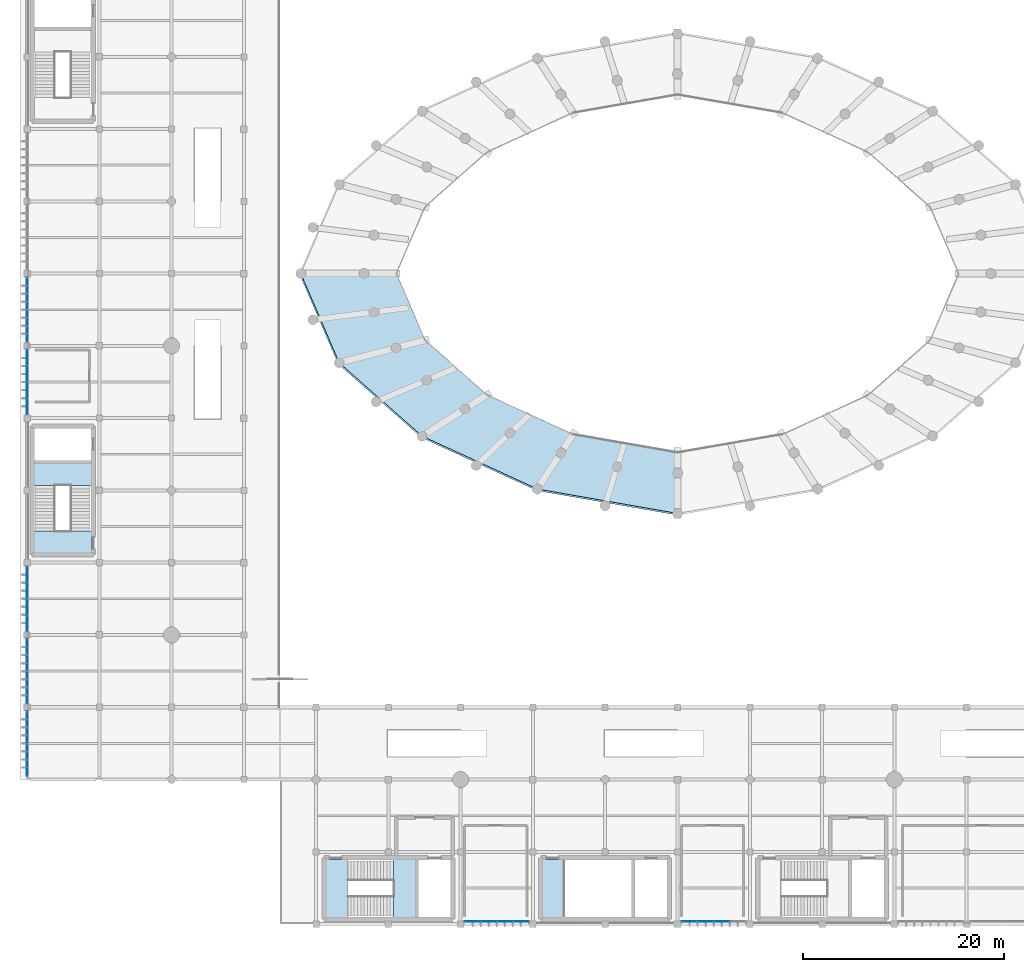
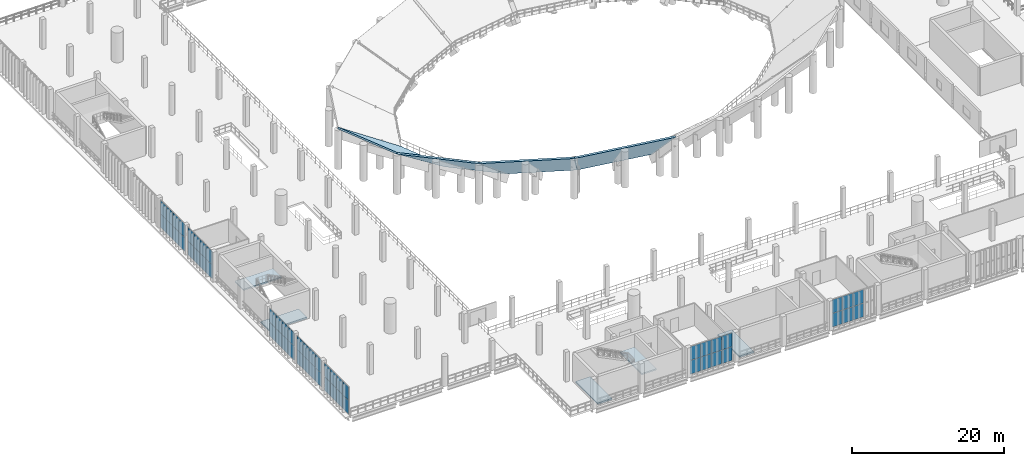
# One storey, part 74 of 105: 54 plates, 9 slabs, 9 elements without a shape of their own.
"""IFC4 building model written with IfcOpenShell, lengths in metres."""

import ifcopenshell
import ifcopenshell.guid

model = None  # the IFC model being written
_history = None  # IfcOwnerHistory: only IFC2X3 demands one
_inside = {}  # id of a spatial element -> (the spatial element, [elements in it])
_under = {}  # id of a project, library or spatial element -> (it, [spatial elements below it])
_declared = {}  # id of a project -> (the project, [libraries it declares])
_typed = {}  # id of a type object -> (the type object, [elements of that type])
_made_of = {}  # id of a material, layer set ... -> (it, [elements and type objects made of it])


def new_model(schema):
    """Start an empty IFC model of exactly this schema.

    Asked for "IFC4X3", IfcOpenShell would pick the latest addendum, in which some entities
    have other attributes; the version numbers below select the first issue.
    IFC2X3 requires an IfcOwnerHistory on every rooted entity: one is made here for all.
    """
    global model, _history
    if schema == "IFC4X3":
        model = ifcopenshell.file(schema_version=(4, 3, 0, 0))
    else:
        model = ifcopenshell.file(schema=schema)
    _inside.clear()
    _under.clear()
    _declared.clear()
    _typed.clear()
    _made_of.clear()
    _history = None
    if model.schema == "IFC2X3":
        org = make("IfcOrganization", Name="unknown")
        user = make(
            "IfcPersonAndOrganization",
            ThePerson=make("IfcPerson", FamilyName="unknown"),
            TheOrganization=org,
        )
        app = make(
            "IfcApplication",
            ApplicationDeveloper=org,
            Version="unknown",
            ApplicationFullName="unknown",
            ApplicationIdentifier="unknown",
        )
        _history = make(
            "IfcOwnerHistory",
            OwningUser=user,
            OwningApplication=app,
            ChangeAction="ADDED",
            CreationDate=0,
        )
    return model


def make(cls, **values):
    """One entity of the class cls with the attributes given. An attribute that is None is left unset."""
    return model.create_entity(
        cls, **{name: value for name, value in values.items() if value is not None}
    )


def rooted(cls, **values):
    """An entity with a GlobalId (a new one), such as an element, a storey or a relation."""
    return make(cls, GlobalId=ifcopenshell.guid.new(), OwnerHistory=_history, **values)


def si_unit(unit_type, name, prefix=None):
    """IfcSIUnit, for example si_unit("LENGTHUNIT", "METRE", prefix="MILLI")."""
    return make("IfcSIUnit", UnitType=unit_type, Prefix=prefix, Name=name)


def assignment(units):
    """IfcUnitAssignment: the units of a project."""
    return None if units is None else make("IfcUnitAssignment", Units=units)


def point(xyz):
    """IfcCartesianPoint."""
    return None if xyz is None else make("IfcCartesianPoint", Coordinates=xyz)


def direction(xyz):
    """IfcDirection."""
    return None if xyz is None else make("IfcDirection", DirectionRatios=xyz)


def frame(location, z_axis=None, x_axis=None):
    """IfcAxis2Placement3D, a coordinate frame: its origin and axes. An axis left out is left unset."""
    return make(
        "IfcAxis2Placement3D",
        Location=point(location),
        Axis=direction(z_axis),
        RefDirection=direction(x_axis),
    )


def frame_2d(location, x_axis=None):
    """IfcAxis2Placement2D, a coordinate frame in the plane: its origin and x axis."""
    return make(
        "IfcAxis2Placement2D", Location=point(location), RefDirection=direction(x_axis)
    )


def origin():
    """The frame at (0, 0, 0) with its axes left unset."""
    return frame((0.0, 0.0, 0.0))


def origin_2d():
    """The frame at (0, 0) in the plane with its x axis left unset."""
    return frame_2d((0.0, 0.0))


def place(relative_to, where):
    """IfcLocalPlacement: puts the frame where relative to a parent placement (None: the world)."""
    return make(
        "IfcLocalPlacement", PlacementRelTo=relative_to, RelativePlacement=where
    )


def context(
    kind, dimensions, precision=None, world=None, true_north=None, identifier=None
):
    """IfcGeometricRepresentationContext, for example the 3D "Model" context."""
    return make(
        "IfcGeometricRepresentationContext",
        ContextIdentifier=identifier,
        ContextType=kind,
        CoordinateSpaceDimension=dimensions,
        Precision=precision,
        WorldCoordinateSystem=world,
        TrueNorth=true_north,
    )


def subcontext(parent, identifier, kind, view, scale=None):
    """IfcGeometricRepresentationSubContext, for example "Body" below "Model"."""
    return make(
        "IfcGeometricRepresentationSubContext",
        ContextIdentifier=identifier,
        ContextType=kind,
        ParentContext=parent,
        TargetScale=scale,
        TargetView=view,
    )


def project(units=None, contexts=None):
    """IfcProject with its units and contexts."""
    return rooted(
        "IfcProject",
        Name="project",
        RepresentationContexts=contexts,
        UnitsInContext=assignment(units),
    )


def spatial(cls, under=None, at=None, **own):
    """A site, building, storey or space (cls), placed at a placement, below another one or the project."""
    s = rooted(cls, ObjectPlacement=at, **own)
    if under is not None:
        _under.setdefault(under.id(), (under, []))[1].append(s)
    return s


def polyline(points):
    """IfcPolyline through the points."""
    return make("IfcPolyline", Points=[point(p) for p in points])


def profile(cls, at=None, kind="AREA", **sizes):
    """A parametric profile (cls). Its sizes go by their IFC names, for example OverallWidth=200.0."""
    return make(cls, ProfileType=kind, Position=at, **sizes)


def rectangle(**sizes):
    """IfcRectangleProfileDef."""
    return profile("IfcRectangleProfileDef", **sizes)


def outline(outer, holes=None, kind="AREA"):
    """IfcArbitraryClosedProfileDef: a profile drawn as a closed curve; with holes, ...WithVoids."""
    if holes is None:
        return make("IfcArbitraryClosedProfileDef", ProfileType=kind, OuterCurve=outer)
    return make(
        "IfcArbitraryProfileDefWithVoids",
        ProfileType=kind,
        OuterCurve=outer,
        InnerCurves=holes,
    )


def extrude(swept, where, along, depth):
    """IfcExtrudedAreaSolid: the profile swept, set in the frame where, extruded along a direction by depth."""
    return make(
        "IfcExtrudedAreaSolid",
        SweptArea=swept,
        Position=where,
        ExtrudedDirection=direction(along),
        Depth=depth,
    )


def shape(context_of_items, identifier, shape_type, items):
    """IfcShapeRepresentation: the items that make up one representation, for example the "Body"."""
    return make(
        "IfcShapeRepresentation",
        ContextOfItems=context_of_items,
        RepresentationIdentifier=identifier,
        RepresentationType=shape_type,
        Items=items,
    )


def material(Name=None, Category=None):
    """IfcMaterial."""
    return make("IfcMaterial", Name=Name, Category=Category)


def layer(
    of_material, thickness, ventilated=None, Name=None, Category=None, Priority=None
):
    """IfcMaterialLayer: one layer of a wall or slab, of a material (None: an air gap)."""
    return make(
        "IfcMaterialLayer",
        Material=of_material,
        LayerThickness=thickness,
        IsVentilated=ventilated,
        Name=Name,
        Category=Category,
        Priority=Priority,
    )


def layer_set(layers, Name=None):
    """IfcMaterialLayerSet."""
    return make("IfcMaterialLayerSet", MaterialLayers=layers, LayerSetName=Name)


def made_of(thing, what):
    """Note that an element or type object is made of a material, layer set ...; save() writes the relation."""
    if what is not None:
        _made_of.setdefault(what.id(), (what, []))[1].append(thing)
    return thing


def type_object(cls, material=None, **own):
    """A type object (cls), such as IfcWallType, which elements share."""
    return made_of(rooted(cls, **own), material)


def element(
    cls,
    number,
    at=None,
    inside=None,
    cuts=None,
    type_object=None,
    material=None,
    context=None,
    identifier="Body",
    shape_type=None,
    held_by="IfcProductDefinitionShape",
    body=None,
    shapes=None,
    **own,
):
    """One element of the class cls, such as IfcWall. Its Tag is "e" and its number.

    at: its placement. inside: the storey or other place that contains it. cuts: it is an
    opening in that element (IfcRelVoidsElement). A single representation is given by context,
    identifier, shape_type and body (its items); several are given by shapes. held_by: the class
    of the entity that holds the representations. save() writes the other relations.
    """
    e = rooted(cls, Tag="e%d" % number, ObjectPlacement=at, **own)
    if body is not None:
        shapes = [shape(context, identifier, shape_type, body)]
    if shapes is not None:
        e.Representation = make(held_by, Representations=shapes)
    if inside is not None:
        _inside.setdefault(inside.id(), (inside, []))[1].append(e)
    if cuts is not None:
        rooted(
            "IfcRelVoidsElement", RelatingBuildingElement=cuts, RelatedOpeningElement=e
        )
    if type_object is not None:
        _typed.setdefault(type_object.id(), (type_object, []))[1].append(e)
    return made_of(e, material)


def aggregate(whole, parts):
    """IfcRelAggregates: a whole, such as a stair, and the parts it consists of."""
    return rooted("IfcRelAggregates", RelatingObject=whole, RelatedObjects=parts)


def save(model, path):
    """Write the relations noted so far, then the file.

    IfcRelAggregates (storeys below a building ...), IfcRelContainedInSpatialStructure (elements
    in a storey), IfcRelDefinesByType, IfcRelAssociatesMaterial and IfcRelDeclares: one each for
    every whole, place, type object, material and project.
    """
    for whole, parts in _under.values():
        aggregate(whole, parts)
    for where, things in _inside.values():
        rooted(
            "IfcRelContainedInSpatialStructure",
            RelatedElements=things,
            RelatingStructure=where,
        )
    for kind, things in _typed.values():
        rooted("IfcRelDefinesByType", RelatedObjects=things, RelatingType=kind)
    for what, things in _made_of.values():
        rooted("IfcRelAssociatesMaterial", RelatedObjects=things, RelatingMaterial=what)
    for by, libraries in _declared.values():
        rooted("IfcRelDeclares", RelatingContext=by, RelatedDefinitions=libraries)
    model.write(path)


model = new_model("IFC4")

# Units and contexts
model_context = context("Model", 3, precision=1e-05, world=origin(), true_north=direction((0.0, 1.0)))
body_context = subcontext(model_context, "Body", "Model", "MODEL_VIEW")
ifc_project = project(units=[si_unit("LENGTHUNIT", "METRE"), si_unit("AREAUNIT", "SQUARE_METRE"), si_unit("VOLUMEUNIT", "CUBIC_METRE"), si_unit("PLANEANGLEUNIT", "RADIAN"), si_unit("MASSUNIT", "GRAM", prefix="KILO")], contexts=[model_context])

# Site, building, storey
site_placement = place(None, origin())
site = spatial("IfcSite", under=ifc_project, at=site_placement, CompositionType="ELEMENT")
building_placement = place(site_placement, origin())
building = spatial("IfcBuilding", under=site, at=building_placement, Name="Qandorah Velis Arena", CompositionType="ELEMENT")
storey_placement = place(building_placement, frame((0.0, 0.0, 13.800048828125)))
storey = spatial("IfcBuildingStorey", under=building, at=storey_placement, Name="L03", CompositionType="ELEMENT", Elevation=13.800048828125)

# Curtain wall, plates
ifc_material_1 = material(Name="Solar-control low-E double glazing", Category="glass")
curtain_wall_type_1 = type_object("IfcCurtainWallType", Name="ARC-CW-SYS24", PredefinedType="USERDEFINED", material=ifc_material_1)
curtain_wall_1_placement = place(storey_placement, origin())
curtain_wall_1 = element("IfcCurtainWall", 1, at=curtain_wall_1_placement, inside=storey, type_object=curtain_wall_type_1, Name="Unitised curtain wall L03-024", ObjectType="UNITISED CURTAIN WALL", PredefinedType="USERDEFINED")
ifc_layer_1 = layer(ifc_material_1, 0.02392578125)
ifc_layer_set_1 = layer_set([ifc_layer_1], Name="Solar-control low-E double glazing")
plate_type_1 = type_object("IfcPlateType", Name="ARC-CWP-GLZ24", PredefinedType="CURTAIN_PANEL", material=ifc_layer_set_1)
plate_1_placement = place(storey_placement, frame((0.0, 51.579345703125, 0.044921875), z_axis=(0.0, 0.0, 1.0), x_axis=(0.0, 1.0, 0.0)))
plate_1 = element("IfcPlate", 2, at=plate_1_placement, type_object=plate_type_1, Name="CW24 panel 1.1", PredefinedType="CURTAIN_PANEL", context=body_context, shape_type="SweptSolid", body=[
    extrude(rectangle(XDim=1.568603515625, YDim=0.02392578125, at=origin_2d()), origin(), (0.0, 0.0, 1.0), 2.202392578125),
])
plate_2_placement = place(storey_placement, frame((0.0, 51.579345703125, 2.28271484375), z_axis=(0.0, 0.0, 1.0), x_axis=(0.0, 1.0, 0.0)))
plate_2 = element("IfcPlate", 3, at=plate_2_placement, type_object=plate_type_1, Name="CW24 panel 1.2", PredefinedType="CURTAIN_PANEL", context=body_context, shape_type="SweptSolid", body=[
    extrude(rectangle(XDim=1.568603515625, YDim=0.02392578125, at=origin_2d()), origin(), (0.0, 0.0, 1.0), 2.202392578125),
])
plate_3_placement = place(storey_placement, frame((0.0, 53.19677734375, 0.044921875), z_axis=(0.0, 0.0, 1.0), x_axis=(0.0, 1.0, 0.0)))
plate_3 = element("IfcPlate", 4, at=plate_3_placement, type_object=plate_type_1, Name="CW24 panel 2.1", PredefinedType="CURTAIN_PANEL", context=body_context, shape_type="SweptSolid", body=[
    extrude(rectangle(XDim=1.59619140625, YDim=0.02392578125, at=origin_2d()), origin(), (0.0, 0.0, 1.0), 2.202392578125),
])
plate_4_placement = place(storey_placement, frame((0.0, 53.19677734375, 2.28271484375), z_axis=(0.0, 0.0, 1.0), x_axis=(0.0, 1.0, 0.0)))
plate_4 = element("IfcPlate", 5, at=plate_4_placement, type_object=plate_type_1, Name="CW24 panel 2.2", PredefinedType="CURTAIN_PANEL", context=body_context, shape_type="SweptSolid", body=[
    extrude(rectangle(XDim=1.59619140625, YDim=0.02392578125, at=origin_2d()), origin(), (0.0, 0.0, 1.0), 2.202392578125),
])
plate_5_placement = place(storey_placement, frame((0.0, 54.828125, 0.044921875), z_axis=(0.0, 0.0, 1.0), x_axis=(0.0, 1.0, 0.0)))
plate_5 = element("IfcPlate", 6, at=plate_5_placement, type_object=plate_type_1, Name="CW24 panel 3.1", PredefinedType="CURTAIN_PANEL", context=body_context, shape_type="SweptSolid", body=[
    extrude(rectangle(XDim=1.59619140625, YDim=0.02392578125, at=origin_2d()), origin(), (0.0, 0.0, 1.0), 2.202392578125),
])
plate_6_placement = place(storey_placement, frame((0.0, 54.828125, 2.28271484375), z_axis=(0.0, 0.0, 1.0), x_axis=(0.0, 1.0, 0.0)))
plate_6 = element("IfcPlate", 7, at=plate_6_placement, type_object=plate_type_1, Name="CW24 panel 3.2", PredefinedType="CURTAIN_PANEL", context=body_context, shape_type="SweptSolid", body=[
    extrude(rectangle(XDim=1.59619140625, YDim=0.02392578125, at=origin_2d()), origin(), (0.0, 0.0, 1.0), 2.202392578125),
])
plate_7_placement = place(storey_placement, frame((0.0, 56.445556640625, 0.044921875), z_axis=(0.0, 0.0, 1.0), x_axis=(0.0, 1.0, 0.0)))
plate_7 = element("IfcPlate", 8, at=plate_7_placement, type_object=plate_type_1, Name="CW24 panel 4.1", PredefinedType="CURTAIN_PANEL", context=body_context, shape_type="SweptSolid", body=[
    extrude(rectangle(XDim=1.56884765625, YDim=0.02392578125, at=origin_2d()), origin(), (0.0, 0.0, 1.0), 2.202392578125),
])
plate_8_placement = place(storey_placement, frame((0.0, 56.445556640625, 2.28271484375), z_axis=(0.0, 0.0, 1.0), x_axis=(0.0, 1.0, 0.0)))
plate_8 = element("IfcPlate", 9, at=plate_8_placement, type_object=plate_type_1, Name="CW24 panel 4.2", PredefinedType="CURTAIN_PANEL", context=body_context, shape_type="SweptSolid", body=[
    extrude(rectangle(XDim=1.56884765625, YDim=0.02392578125, at=origin_2d()), origin(), (0.0, 0.0, 1.0), 2.202392578125),
])
aggregate(curtain_wall_1, [plate_1, plate_2, plate_3, plate_4, plate_5, plate_6, plate_7, plate_8])

curtain_wall_type_2 = type_object("IfcCurtainWallType", Name="ARC-CW-SYS21", PredefinedType="USERDEFINED", material=ifc_material_1)
curtain_wall_2_placement = place(storey_placement, origin())
curtain_wall_2 = element("IfcCurtainWall", 10, at=curtain_wall_2_placement, inside=storey, type_object=curtain_wall_type_2, Name="Unitised curtain wall L03-069", ObjectType="UNITISED CURTAIN WALL", PredefinedType="USERDEFINED")
plate_9_placement = place(storey_placement, frame((65.981201171875, 0.25, 0.06494140625), z_axis=(0.0, 0.0, 1.0), x_axis=(1.0, 0.0, 0.0)))
plate_9 = element("IfcPlate", 11, at=plate_9_placement, type_object=plate_type_1, Name="CW21 panel 1.1", PredefinedType="CURTAIN_PANEL", context=body_context, shape_type="SweptSolid", body=[
    extrude(rectangle(XDim=1.532470703125, YDim=0.02392578125, at=origin_2d()), origin(), (0.0, 0.0, 1.0), 2.172607421875),
])
plate_10_placement = place(storey_placement, frame((65.981201171875, 0.25, 2.29248046875), z_axis=(0.0, 0.0, 1.0), x_axis=(1.0, 0.0, 0.0)))
plate_10 = element("IfcPlate", 12, at=plate_10_placement, type_object=plate_type_1, Name="CW21 panel 1.2", PredefinedType="CURTAIN_PANEL", context=body_context, shape_type="SweptSolid", body=[
    extrude(rectangle(XDim=1.532470703125, YDim=0.02392578125, at=origin_2d()), origin(), (0.0, 0.0, 1.0), 2.172607421875),
])
plate_11_placement = place(storey_placement, frame((67.58740234375, 0.25, 0.06494140625), z_axis=(0.0, 0.0, 1.0), x_axis=(1.0, 0.0, 0.0)))
plate_11 = element("IfcPlate", 13, at=plate_11_placement, type_object=plate_type_1, Name="CW21 panel 2.1", PredefinedType="CURTAIN_PANEL", context=body_context, shape_type="SweptSolid", body=[
    extrude(rectangle(XDim=1.570068359375, YDim=0.02392578125, at=origin_2d()), origin(), (0.0, 0.0, 1.0), 2.172607421875),
])
plate_12_placement = place(storey_placement, frame((67.58740234375, 0.25, 2.29248046875), z_axis=(0.0, 0.0, 1.0), x_axis=(1.0, 0.0, 0.0)))
plate_12 = element("IfcPlate", 14, at=plate_12_placement, type_object=plate_type_1, Name="CW21 panel 2.2", PredefinedType="CURTAIN_PANEL", context=body_context, shape_type="SweptSolid", body=[
    extrude(rectangle(XDim=1.570068359375, YDim=0.02392578125, at=origin_2d()), origin(), (0.0, 0.0, 1.0), 2.172607421875),
])
plate_13_placement = place(storey_placement, frame((69.21240234375, 0.25, 0.06494140625), z_axis=(0.0, 0.0, 1.0), x_axis=(1.0, 0.0, 0.0)))
plate_13 = element("IfcPlate", 15, at=plate_13_placement, type_object=plate_type_1, Name="CW21 panel 3.1", PredefinedType="CURTAIN_PANEL", context=body_context, shape_type="SweptSolid", body=[
    extrude(rectangle(XDim=1.570068359375, YDim=0.02392578125, at=origin_2d()), origin(), (0.0, 0.0, 1.0), 2.172607421875),
])
plate_14_placement = place(storey_placement, frame((69.21240234375, 0.25, 2.29248046875), z_axis=(0.0, 0.0, 1.0), x_axis=(1.0, 0.0, 0.0)))
plate_14 = element("IfcPlate", 16, at=plate_14_placement, type_object=plate_type_1, Name="CW21 panel 3.2", PredefinedType="CURTAIN_PANEL", context=body_context, shape_type="SweptSolid", body=[
    extrude(rectangle(XDim=1.570068359375, YDim=0.02392578125, at=origin_2d()), origin(), (0.0, 0.0, 1.0), 2.172607421875),
])
aggregate(curtain_wall_2, [plate_9, plate_10, plate_11, plate_12, plate_13, plate_14])

curtain_wall_type_3 = type_object("IfcCurtainWallType", Name="ARC-CW-SYS23", PredefinedType="USERDEFINED", material=ifc_material_1)
curtain_wall_3_placement = place(storey_placement, origin())
curtain_wall_3 = element("IfcCurtainWall", 17, at=curtain_wall_3_placement, inside=storey, type_object=curtain_wall_type_3, Name="Unitised curtain wall L03-023", ObjectType="UNITISED CURTAIN WALL", PredefinedType="USERDEFINED")
ifc_layer_2 = layer(ifc_material_1, 0.028076171875)
ifc_layer_set_2 = layer_set([ifc_layer_2], Name="Solar-control low-E double glazing")
plate_type_2 = type_object("IfcPlateType", Name="ARC-CWP-GLZ28", PredefinedType="CURTAIN_PANEL", material=ifc_layer_set_2)
plate_15_placement = place(storey_placement, frame((0.0, 29.95556640625, 0.0498046875), z_axis=(0.0, 0.0, 1.0), x_axis=(0.0, 1.0, 0.0)))
plate_15 = element("IfcPlate", 18, at=plate_15_placement, type_object=plate_type_2, Name="CW23 panel 1.1", PredefinedType="CURTAIN_PANEL", context=body_context, shape_type="SweptSolid", body=[
    extrude(rectangle(XDim=1.561279296875, YDim=0.028076171875, at=origin_2d()), origin(), (0.0, 0.0, 1.0), 2.195068359375),
])
plate_16_placement = place(storey_placement, frame((0.0, 29.95556640625, 2.28515625), z_axis=(0.0, 0.0, 1.0), x_axis=(0.0, 1.0, 0.0)))
plate_16 = element("IfcPlate", 19, at=plate_16_placement, type_object=plate_type_2, Name="CW23 panel 1.2", PredefinedType="CURTAIN_PANEL", context=body_context, shape_type="SweptSolid", body=[
    extrude(rectangle(XDim=1.561279296875, YDim=0.028076171875, at=origin_2d()), origin(), (0.0, 0.0, 1.0), 2.195068359375),
])
plate_17_placement = place(storey_placement, frame((0.0, 31.57177734375, 0.0498046875), z_axis=(0.0, 0.0, 1.0), x_axis=(0.0, 1.0, 0.0)))
plate_17 = element("IfcPlate", 20, at=plate_17_placement, type_object=plate_type_2, Name="CW23 panel 2.1", PredefinedType="CURTAIN_PANEL", context=body_context, shape_type="SweptSolid", body=[
    extrude(rectangle(XDim=1.59130859375, YDim=0.028076171875, at=origin_2d()), origin(), (0.0, 0.0, 1.0), 2.195068359375),
])
plate_18_placement = place(storey_placement, frame((0.0, 31.57177734375, 2.28515625), z_axis=(0.0, 0.0, 1.0), x_axis=(0.0, 1.0, 0.0)))
plate_18 = element("IfcPlate", 21, at=plate_18_placement, type_object=plate_type_2, Name="CW23 panel 2.2", PredefinedType="CURTAIN_PANEL", context=body_context, shape_type="SweptSolid", body=[
    extrude(rectangle(XDim=1.59130859375, YDim=0.028076171875, at=origin_2d()), origin(), (0.0, 0.0, 1.0), 2.195068359375),
])
plate_19_placement = place(storey_placement, frame((0.0, 33.203125, 0.0498046875), z_axis=(0.0, 0.0, 1.0), x_axis=(0.0, 1.0, 0.0)))
plate_19 = element("IfcPlate", 22, at=plate_19_placement, type_object=plate_type_2, Name="CW23 panel 3.1", PredefinedType="CURTAIN_PANEL", context=body_context, shape_type="SweptSolid", body=[
    extrude(rectangle(XDim=1.59130859375, YDim=0.028076171875, at=origin_2d()), origin(), (0.0, 0.0, 1.0), 2.195068359375),
])
plate_20_placement = place(storey_placement, frame((0.0, 33.203125, 2.28515625), z_axis=(0.0, 0.0, 1.0), x_axis=(0.0, 1.0, 0.0)))
plate_20 = element("IfcPlate", 23, at=plate_20_placement, type_object=plate_type_2, Name="CW23 panel 3.2", PredefinedType="CURTAIN_PANEL", context=body_context, shape_type="SweptSolid", body=[
    extrude(rectangle(XDim=1.59130859375, YDim=0.028076171875, at=origin_2d()), origin(), (0.0, 0.0, 1.0), 2.195068359375),
])
plate_21_placement = place(storey_placement, frame((0.0, 34.8193359375, 0.0498046875), z_axis=(0.0, 0.0, 1.0), x_axis=(0.0, 1.0, 0.0)))
plate_21 = element("IfcPlate", 24, at=plate_21_placement, type_object=plate_type_2, Name="CW23 panel 4.1", PredefinedType="CURTAIN_PANEL", context=body_context, shape_type="SweptSolid", body=[
    extrude(rectangle(XDim=1.561279296875, YDim=0.028076171875, at=origin_2d()), origin(), (0.0, 0.0, 1.0), 2.195068359375),
])
plate_22_placement = place(storey_placement, frame((0.0, 34.8193359375, 2.28515625), z_axis=(0.0, 0.0, 1.0), x_axis=(0.0, 1.0, 0.0)))
plate_22 = element("IfcPlate", 25, at=plate_22_placement, type_object=plate_type_2, Name="CW23 panel 4.2", PredefinedType="CURTAIN_PANEL", context=body_context, shape_type="SweptSolid", body=[
    extrude(rectangle(XDim=1.561279296875, YDim=0.028076171875, at=origin_2d()), origin(), (0.0, 0.0, 1.0), 2.195068359375),
])
aggregate(curtain_wall_3, [plate_15, plate_16, plate_17, plate_18, plate_19, plate_20, plate_21, plate_22])

curtain_wall_type_4 = type_object("IfcCurtainWallType", Name="ARC-CW-SYS20", PredefinedType="USERDEFINED", material=ifc_material_1)
curtain_wall_4_placement = place(storey_placement, origin())
curtain_wall_4 = element("IfcCurtainWall", 26, at=curtain_wall_4_placement, inside=storey, type_object=curtain_wall_type_4, Name="Unitised curtain wall L03-068", ObjectType="UNITISED CURTAIN WALL", PredefinedType="USERDEFINED")
plate_23_placement = place(storey_placement, frame((44.376220703125, 0.25, 0.044921875), z_axis=(0.0, 0.0, 1.0), x_axis=(1.0, 0.0, 0.0)))
plate_23 = element("IfcPlate", 27, at=plate_23_placement, type_object=plate_type_2, Name="CW20 panel 1.1", PredefinedType="CURTAIN_PANEL", context=body_context, shape_type="SweptSolid", body=[
    extrude(rectangle(XDim=1.5625, YDim=0.028076171875, at=origin_2d()), origin(), (0.0, 0.0, 1.0), 2.202392578125),
])
plate_24_placement = place(storey_placement, frame((44.376220703125, 0.25, 2.28271484375), z_axis=(0.0, 0.0, 1.0), x_axis=(1.0, 0.0, 0.0)))
plate_24 = element("IfcPlate", 28, at=plate_24_placement, type_object=plate_type_2, Name="CW20 panel 1.2", PredefinedType="CURTAIN_PANEL", context=body_context, shape_type="SweptSolid", body=[
    extrude(rectangle(XDim=1.5625, YDim=0.028076171875, at=origin_2d()), origin(), (0.0, 0.0, 1.0), 2.202392578125),
])
plate_25_placement = place(storey_placement, frame((45.987548828125, 0.25, 0.044921875), z_axis=(0.0, 0.0, 1.0), x_axis=(1.0, 0.0, 0.0)))
plate_25 = element("IfcPlate", 29, at=plate_25_placement, type_object=plate_type_2, Name="CW20 panel 2.1", PredefinedType="CURTAIN_PANEL", context=body_context, shape_type="SweptSolid", body=[
    extrude(rectangle(XDim=1.590087890625, YDim=0.028076171875, at=origin_2d()), origin(), (0.0, 0.0, 1.0), 2.202392578125),
])
plate_26_placement = place(storey_placement, frame((45.987548828125, 0.25, 2.28271484375), z_axis=(0.0, 0.0, 1.0), x_axis=(1.0, 0.0, 0.0)))
plate_26 = element("IfcPlate", 30, at=plate_26_placement, type_object=plate_type_2, Name="CW20 panel 2.2", PredefinedType="CURTAIN_PANEL", context=body_context, shape_type="SweptSolid", body=[
    extrude(rectangle(XDim=1.590087890625, YDim=0.028076171875, at=origin_2d()), origin(), (0.0, 0.0, 1.0), 2.202392578125),
])
plate_27_placement = place(storey_placement, frame((47.612548828125, 0.25, 0.044921875), z_axis=(0.0, 0.0, 1.0), x_axis=(1.0, 0.0, 0.0)))
plate_27 = element("IfcPlate", 31, at=plate_27_placement, type_object=plate_type_2, Name="CW20 panel 3.1", PredefinedType="CURTAIN_PANEL", context=body_context, shape_type="SweptSolid", body=[
    extrude(rectangle(XDim=1.590087890625, YDim=0.028076171875, at=origin_2d()), origin(), (0.0, 0.0, 1.0), 2.202392578125),
])
plate_28_placement = place(storey_placement, frame((47.612548828125, 0.25, 2.28271484375), z_axis=(0.0, 0.0, 1.0), x_axis=(1.0, 0.0, 0.0)))
plate_28 = element("IfcPlate", 32, at=plate_28_placement, type_object=plate_type_2, Name="CW20 panel 3.2", PredefinedType="CURTAIN_PANEL", context=body_context, shape_type="SweptSolid", body=[
    extrude(rectangle(XDim=1.590087890625, YDim=0.028076171875, at=origin_2d()), origin(), (0.0, 0.0, 1.0), 2.202392578125),
])
plate_29_placement = place(storey_placement, frame((49.2236328125, 0.25, 0.044921875), z_axis=(0.0, 0.0, 1.0), x_axis=(1.0, 0.0, 0.0)))
plate_29 = element("IfcPlate", 33, at=plate_29_placement, type_object=plate_type_2, Name="CW20 panel 4.1", PredefinedType="CURTAIN_PANEL", context=body_context, shape_type="SweptSolid", body=[
    extrude(rectangle(XDim=1.5625, YDim=0.028076171875, at=origin_2d()), origin(), (0.0, 0.0, 1.0), 2.202392578125),
])
plate_30_placement = place(storey_placement, frame((49.2236328125, 0.25, 2.28271484375), z_axis=(0.0, 0.0, 1.0), x_axis=(1.0, 0.0, 0.0)))
plate_30 = element("IfcPlate", 34, at=plate_30_placement, type_object=plate_type_2, Name="CW20 panel 4.2", PredefinedType="CURTAIN_PANEL", context=body_context, shape_type="SweptSolid", body=[
    extrude(rectangle(XDim=1.5625, YDim=0.028076171875, at=origin_2d()), origin(), (0.0, 0.0, 1.0), 2.202392578125),
])
aggregate(curtain_wall_4, [plate_23, plate_24, plate_25, plate_26, plate_27, plate_28, plate_29, plate_30])

curtain_wall_type_5 = type_object("IfcCurtainWallType", Name="ARC-CW-SYS22", PredefinedType="USERDEFINED", material=ifc_material_1)
curtain_wall_5_placement = place(storey_placement, origin())
curtain_wall_5 = element("IfcCurtainWall", 35, at=curtain_wall_5_placement, inside=storey, type_object=curtain_wall_type_5, Name="Unitised curtain wall L03-022", ObjectType="UNITISED CURTAIN WALL", PredefinedType="USERDEFINED")
ifc_layer_3 = layer(ifc_material_1, 0.030029296875)
ifc_layer_set_3 = layer_set([ifc_layer_3], Name="Solar-control low-E double glazing")
plate_type_3 = type_object("IfcPlateType", Name="ARC-CWP-GLZ30", PredefinedType="CURTAIN_PANEL", material=ifc_layer_set_3)
plate_31_placement = place(storey_placement, frame((0.0, 22.781982421875, 0.054931640625), z_axis=(0.0, 0.0, 1.0), x_axis=(0.0, 1.0, 0.0)))
plate_31 = element("IfcPlate", 36, at=plate_31_placement, type_object=plate_type_3, Name="CW22 panel 1.1", PredefinedType="CURTAIN_PANEL", context=body_context, shape_type="SweptSolid", body=[
    extrude(rectangle(XDim=1.5537109375, YDim=0.030029296875, at=origin_2d()), origin(), (0.0, 0.0, 1.0), 2.1875),
])
plate_32_placement = place(storey_placement, frame((0.0, 22.781982421875, 2.287353515625), z_axis=(0.0, 0.0, 1.0), x_axis=(0.0, 1.0, 0.0)))
plate_32 = element("IfcPlate", 37, at=plate_32_placement, type_object=plate_type_3, Name="CW22 panel 1.2", PredefinedType="CURTAIN_PANEL", context=body_context, shape_type="SweptSolid", body=[
    extrude(rectangle(XDim=1.5537109375, YDim=0.030029296875, at=origin_2d()), origin(), (0.0, 0.0, 1.0), 2.1875),
])
plate_33_placement = place(storey_placement, frame((0.0, 24.39697265625, 0.054931640625), z_axis=(0.0, 0.0, 1.0), x_axis=(0.0, 1.0, 0.0)))
plate_33 = element("IfcPlate", 38, at=plate_33_placement, type_object=plate_type_3, Name="CW22 panel 2.1", PredefinedType="CURTAIN_PANEL", context=body_context, shape_type="SweptSolid", body=[
    extrude(rectangle(XDim=1.586181640625, YDim=0.030029296875, at=origin_2d()), origin(), (0.0, 0.0, 1.0), 2.1875),
])
plate_34_placement = place(storey_placement, frame((0.0, 24.39697265625, 2.287353515625), z_axis=(0.0, 0.0, 1.0), x_axis=(0.0, 1.0, 0.0)))
plate_34 = element("IfcPlate", 39, at=plate_34_placement, type_object=plate_type_3, Name="CW22 panel 2.2", PredefinedType="CURTAIN_PANEL", context=body_context, shape_type="SweptSolid", body=[
    extrude(rectangle(XDim=1.586181640625, YDim=0.030029296875, at=origin_2d()), origin(), (0.0, 0.0, 1.0), 2.1875),
])
plate_35_placement = place(storey_placement, frame((0.0, 26.028076171875, 0.054931640625), z_axis=(0.0, 0.0, 1.0), x_axis=(0.0, 1.0, 0.0)))
plate_35 = element("IfcPlate", 40, at=plate_35_placement, type_object=plate_type_3, Name="CW22 panel 3.1", PredefinedType="CURTAIN_PANEL", context=body_context, shape_type="SweptSolid", body=[
    extrude(rectangle(XDim=1.586181640625, YDim=0.030029296875, at=origin_2d()), origin(), (0.0, 0.0, 1.0), 2.1875),
])
plate_36_placement = place(storey_placement, frame((0.0, 26.028076171875, 2.287353515625), z_axis=(0.0, 0.0, 1.0), x_axis=(0.0, 1.0, 0.0)))
plate_36 = element("IfcPlate", 41, at=plate_36_placement, type_object=plate_type_3, Name="CW22 panel 3.2", PredefinedType="CURTAIN_PANEL", context=body_context, shape_type="SweptSolid", body=[
    extrude(rectangle(XDim=1.586181640625, YDim=0.030029296875, at=origin_2d()), origin(), (0.0, 0.0, 1.0), 2.1875),
])
plate_37_placement = place(storey_placement, frame((0.0, 27.64306640625, 0.054931640625), z_axis=(0.0, 0.0, 1.0), x_axis=(0.0, 1.0, 0.0)))
plate_37 = element("IfcPlate", 42, at=plate_37_placement, type_object=plate_type_3, Name="CW22 panel 4.1", PredefinedType="CURTAIN_PANEL", context=body_context, shape_type="SweptSolid", body=[
    extrude(rectangle(XDim=1.5537109375, YDim=0.030029296875, at=origin_2d()), origin(), (0.0, 0.0, 1.0), 2.1875),
])
plate_38_placement = place(storey_placement, frame((0.0, 27.64306640625, 2.287353515625), z_axis=(0.0, 0.0, 1.0), x_axis=(0.0, 1.0, 0.0)))
plate_38 = element("IfcPlate", 43, at=plate_38_placement, type_object=plate_type_3, Name="CW22 panel 4.2", PredefinedType="CURTAIN_PANEL", context=body_context, shape_type="SweptSolid", body=[
    extrude(rectangle(XDim=1.5537109375, YDim=0.030029296875, at=origin_2d()), origin(), (0.0, 0.0, 1.0), 2.1875),
])
aggregate(curtain_wall_5, [plate_31, plate_32, plate_33, plate_34, plate_35, plate_36, plate_37, plate_38])

curtain_wall_6_placement = place(storey_placement, origin())
curtain_wall_6 = element("IfcCurtainWall", 44, at=curtain_wall_6_placement, inside=storey, type_object=curtain_wall_type_2, Name="Unitised curtain wall L03-021", ObjectType="UNITISED CURTAIN WALL", PredefinedType="USERDEFINED")
ifc_layer_4 = layer(ifc_material_1, 0.035888671875)
ifc_layer_set_4 = layer_set([ifc_layer_4], Name="Solar-control low-E double glazing")
plate_type_4 = type_object("IfcPlateType", Name="ARC-CWP-GLZ36", PredefinedType="CURTAIN_PANEL", material=ifc_layer_set_4)
plate_39_placement = place(storey_placement, frame((0.0, 15.53759765625, 0.06494140625), z_axis=(0.0, 0.0, 1.0), x_axis=(0.0, 1.0, 0.0)))
plate_39 = element("IfcPlate", 45, at=plate_39_placement, type_object=plate_type_4, Name="CW21 panel 1.1", PredefinedType="CURTAIN_PANEL", context=body_context, shape_type="SweptSolid", body=[
    extrude(rectangle(XDim=1.544921875, YDim=0.035888671875, at=origin_2d()), origin(), (0.0, 0.0, 1.0), 2.172607421875),
])
plate_40_placement = place(storey_placement, frame((0.0, 15.53759765625, 2.29248046875), z_axis=(0.0, 0.0, 1.0), x_axis=(0.0, 1.0, 0.0)))
plate_40 = element("IfcPlate", 46, at=plate_40_placement, type_object=plate_type_4, Name="CW21 panel 1.2", PredefinedType="CURTAIN_PANEL", context=body_context, shape_type="SweptSolid", body=[
    extrude(rectangle(XDim=1.544921875, YDim=0.035888671875, at=origin_2d()), origin(), (0.0, 0.0, 1.0), 2.172607421875),
])
plate_41_placement = place(storey_placement, frame((0.0, 17.15625, 0.06494140625), z_axis=(0.0, 0.0, 1.0), x_axis=(0.0, 1.0, 0.0)))
plate_41 = element("IfcPlate", 47, at=plate_41_placement, type_object=plate_type_4, Name="CW21 panel 2.1", PredefinedType="CURTAIN_PANEL", context=body_context, shape_type="SweptSolid", body=[
    extrude(rectangle(XDim=1.58251953125, YDim=0.035888671875, at=origin_2d()), origin(), (0.0, 0.0, 1.0), 2.172607421875),
])
plate_42_placement = place(storey_placement, frame((0.0, 17.15625, 2.29248046875), z_axis=(0.0, 0.0, 1.0), x_axis=(0.0, 1.0, 0.0)))
plate_42 = element("IfcPlate", 48, at=plate_42_placement, type_object=plate_type_4, Name="CW21 panel 2.2", PredefinedType="CURTAIN_PANEL", context=body_context, shape_type="SweptSolid", body=[
    extrude(rectangle(XDim=1.58251953125, YDim=0.035888671875, at=origin_2d()), origin(), (0.0, 0.0, 1.0), 2.172607421875),
])
plate_43_placement = place(storey_placement, frame((0.0, 18.793701171875, 0.06494140625), z_axis=(0.0, 0.0, 1.0), x_axis=(0.0, 1.0, 0.0)))
plate_43 = element("IfcPlate", 49, at=plate_43_placement, type_object=plate_type_4, Name="CW21 panel 3.1", PredefinedType="CURTAIN_PANEL", context=body_context, shape_type="SweptSolid", body=[
    extrude(rectangle(XDim=1.58251953125, YDim=0.035888671875, at=origin_2d()), origin(), (0.0, 0.0, 1.0), 2.172607421875),
])
plate_44_placement = place(storey_placement, frame((0.0, 18.793701171875, 2.29248046875), z_axis=(0.0, 0.0, 1.0), x_axis=(0.0, 1.0, 0.0)))
plate_44 = element("IfcPlate", 50, at=plate_44_placement, type_object=plate_type_4, Name="CW21 panel 3.2", PredefinedType="CURTAIN_PANEL", context=body_context, shape_type="SweptSolid", body=[
    extrude(rectangle(XDim=1.58251953125, YDim=0.035888671875, at=origin_2d()), origin(), (0.0, 0.0, 1.0), 2.172607421875),
])
plate_45_placement = place(storey_placement, frame((0.0, 20.41259765625, 0.06494140625), z_axis=(0.0, 0.0, 1.0), x_axis=(0.0, 1.0, 0.0)))
plate_45 = element("IfcPlate", 51, at=plate_45_placement, type_object=plate_type_4, Name="CW21 panel 4.1", PredefinedType="CURTAIN_PANEL", context=body_context, shape_type="SweptSolid", body=[
    extrude(rectangle(XDim=1.544921875, YDim=0.035888671875, at=origin_2d()), origin(), (0.0, 0.0, 1.0), 2.172607421875),
])
plate_46_placement = place(storey_placement, frame((0.0, 20.41259765625, 2.29248046875), z_axis=(0.0, 0.0, 1.0), x_axis=(0.0, 1.0, 0.0)))
plate_46 = element("IfcPlate", 52, at=plate_46_placement, type_object=plate_type_4, Name="CW21 panel 4.2", PredefinedType="CURTAIN_PANEL", context=body_context, shape_type="SweptSolid", body=[
    extrude(rectangle(XDim=1.544921875, YDim=0.035888671875, at=origin_2d()), origin(), (0.0, 0.0, 1.0), 2.172607421875),
])
aggregate(curtain_wall_6, [plate_39, plate_40, plate_41, plate_42, plate_43, plate_44, plate_45, plate_46])

curtain_wall_type_6 = type_object("IfcCurtainWallType", Name="ARC-CW-SYS01", PredefinedType="USERDEFINED", material=ifc_material_1)
curtain_wall_7_placement = place(storey_placement, origin())
curtain_wall_7 = element("IfcCurtainWall", 53, at=curtain_wall_7_placement, inside=storey, type_object=curtain_wall_type_6, Name="Unitised curtain wall L03-025", ObjectType="UNITISED CURTAIN WALL", PredefinedType="USERDEFINED")
ifc_layer_5 = layer(ifc_material_1, 0.0439453125)
ifc_layer_set_5 = layer_set([ifc_layer_5], Name="Solar-control low-E double glazing")
plate_type_5 = type_object("IfcPlateType", Name="ARC-CWP-SPN44", PredefinedType="CURTAIN_PANEL", material=ifc_layer_set_5)
plate_47_placement = place(storey_placement, frame((0.0, 58.75927734375, 0.06494140625), z_axis=(0.0, 0.0, 1.0), x_axis=(0.0, 1.0, 0.0)))
plate_47 = element("IfcPlate", 54, at=plate_47_placement, type_object=plate_type_5, Name="CW01 panel 1.1", PredefinedType="CURTAIN_PANEL", context=body_context, shape_type="SweptSolid", body=[
    extrude(rectangle(XDim=1.538818359375, YDim=0.0439453125, at=origin_2d()), origin(), (0.0, 0.0, 1.0), 2.172607421875),
])
plate_48_placement = place(storey_placement, frame((0.0, 58.75927734375, 2.29248046875), z_axis=(0.0, 0.0, 1.0), x_axis=(0.0, 1.0, 0.0)))
plate_48 = element("IfcPlate", 55, at=plate_48_placement, type_object=plate_type_5, Name="CW01 panel 1.2", PredefinedType="CURTAIN_PANEL", context=body_context, shape_type="SweptSolid", body=[
    extrude(rectangle(XDim=1.538818359375, YDim=0.0439453125, at=origin_2d()), origin(), (0.0, 0.0, 1.0), 2.172607421875),
])
plate_49_placement = place(storey_placement, frame((0.0, 60.371826171875, 0.06494140625), z_axis=(0.0, 0.0, 1.0), x_axis=(0.0, 1.0, 0.0)))
plate_49 = element("IfcPlate", 56, at=plate_49_placement, type_object=plate_type_5, Name="CW01 panel 2.1", PredefinedType="CURTAIN_PANEL", context=body_context, shape_type="SweptSolid", body=[
    extrude(rectangle(XDim=1.576416015625, YDim=0.0439453125, at=origin_2d()), origin(), (0.0, 0.0, 1.0), 2.172607421875),
])
plate_50_placement = place(storey_placement, frame((0.0, 60.371826171875, 2.29248046875), z_axis=(0.0, 0.0, 1.0), x_axis=(0.0, 1.0, 0.0)))
plate_50 = element("IfcPlate", 57, at=plate_50_placement, type_object=plate_type_5, Name="CW01 panel 2.2", PredefinedType="CURTAIN_PANEL", context=body_context, shape_type="SweptSolid", body=[
    extrude(rectangle(XDim=1.576416015625, YDim=0.0439453125, at=origin_2d()), origin(), (0.0, 0.0, 1.0), 2.172607421875),
])
plate_51_placement = place(storey_placement, frame((0.0, 62.003173828125, 0.06494140625), z_axis=(0.0, 0.0, 1.0), x_axis=(0.0, 1.0, 0.0)))
plate_51 = element("IfcPlate", 58, at=plate_51_placement, type_object=plate_type_5, Name="CW01 panel 3.1", PredefinedType="CURTAIN_PANEL", context=body_context, shape_type="SweptSolid", body=[
    extrude(rectangle(XDim=1.576416015625, YDim=0.0439453125, at=origin_2d()), origin(), (0.0, 0.0, 1.0), 2.172607421875),
])
plate_52_placement = place(storey_placement, frame((0.0, 62.003173828125, 2.29248046875), z_axis=(0.0, 0.0, 1.0), x_axis=(0.0, 1.0, 0.0)))
plate_52 = element("IfcPlate", 59, at=plate_52_placement, type_object=plate_type_5, Name="CW01 panel 3.2", PredefinedType="CURTAIN_PANEL", context=body_context, shape_type="SweptSolid", body=[
    extrude(rectangle(XDim=1.576416015625, YDim=0.0439453125, at=origin_2d()), origin(), (0.0, 0.0, 1.0), 2.172607421875),
])
plate_53_placement = place(storey_placement, frame((0.0, 63.61572265625, 0.06494140625), z_axis=(0.0, 0.0, 1.0), x_axis=(0.0, 1.0, 0.0)))
plate_53 = element("IfcPlate", 60, at=plate_53_placement, type_object=plate_type_5, Name="CW01 panel 4.1", PredefinedType="CURTAIN_PANEL", context=body_context, shape_type="SweptSolid", body=[
    extrude(rectangle(XDim=1.538818359375, YDim=0.0439453125, at=origin_2d()), origin(), (0.0, 0.0, 1.0), 2.172607421875),
])
plate_54_placement = place(storey_placement, frame((0.0, 63.61572265625, 2.29248046875), z_axis=(0.0, 0.0, 1.0), x_axis=(0.0, 1.0, 0.0)))
plate_54 = element("IfcPlate", 61, at=plate_54_placement, type_object=plate_type_5, Name="CW01 panel 4.2", PredefinedType="CURTAIN_PANEL", context=body_context, shape_type="SweptSolid", body=[
    extrude(rectangle(XDim=1.538818359375, YDim=0.0439453125, at=origin_2d()), origin(), (0.0, 0.0, 1.0), 2.172607421875),
])
aggregate(curtain_wall_7, [plate_47, plate_48, plate_49, plate_50, plate_51, plate_52, plate_53, plate_54])

# Slab
ifc_material_2 = material(Name="Concrete C40/50", Category="concrete")
ifc_layer_6 = layer(ifc_material_2, 0.219970703125)
ifc_layer_set_6 = layer_set([ifc_layer_6], Name="Concrete C40/50")
slab_type_1 = type_object("IfcSlabType", Name="STR-SLB-LND220", PredefinedType="LANDING", material=ifc_layer_set_6)
slab_1_placement = place(storey_placement, frame((0.0, 0.0, -0.219970703125)))
element("IfcSlab", 62, at=slab_1_placement, inside=storey, type_object=slab_type_1, Name="Stair ST1 storey landing slab L03", PredefinedType="LANDING", context=body_context, shape_type="SweptSolid", body=[
    extrude(outline(polyline([(29.75, 0.64990234375), (31.949951171875, 0.64990234375), (31.949951171875, 6.449951171875), (29.75, 6.449951171875), (29.75, 0.64990234375)])), origin(), (0.0, 0.0, 1.0), 0.219970703125),
])

# Stair, slab
stair_type = type_object("IfcStairType", Name="ARC-ST-CORE48", PredefinedType="HALF_TURN_STAIR", material=ifc_material_2)
stair_1_placement = place(storey_placement, origin())
stair_1 = element("IfcStair", 63, at=stair_1_placement, inside=storey, type_object=stair_type, Name="Protected exit stair ST1 (L03)", PredefinedType="HALF_TURN_STAIR")
slab_2_placement = place(storey_placement, frame((0.0, 0.0, 2.179931640625)))
slab_2 = element("IfcSlab", 64, at=slab_2_placement, type_object=slab_type_1, Name="ST1 landing 1", PredefinedType="LANDING", context=body_context, shape_type="SweptSolid", body=[
    extrude(outline(polyline([(36.486083984375, 0.64990234375), (38.736083984375, 0.64990234375), (38.736083984375, 6.449951171875), (36.486083984375, 6.449951171875), (36.486083984375, 0.64990234375)])), origin(), (0.0, 0.0, 1.0), 0.219970703125),
])
aggregate(stair_1, [slab_2])

# Slab
slab_3_placement = place(storey_placement, frame((0.0, 0.0, -0.219970703125)))
element("IfcSlab", 65, at=slab_3_placement, inside=storey, type_object=slab_type_1, Name="Stair ST5 storey landing slab L03", PredefinedType="LANDING", context=body_context, shape_type="SweptSolid", body=[
    extrude(outline(polyline([(0.64990234375, 36.949951171875), (6.449951171875, 36.949951171875), (6.449951171875, 39.14990234375), (0.64990234375, 39.14990234375), (0.64990234375, 36.949951171875)])), origin(), (0.0, 0.0, 1.0), 0.219970703125),
])

# Stair, slab
stair_2_placement = place(storey_placement, origin())
stair_2 = element("IfcStair", 66, at=stair_2_placement, inside=storey, type_object=stair_type, Name="Protected exit stair ST5 (L03)", PredefinedType="HALF_TURN_STAIR")
slab_4_placement = place(storey_placement, frame((0.0, 0.0, 2.179931640625)))
slab_4 = element("IfcSlab", 67, at=slab_4_placement, type_object=slab_type_1, Name="ST5 landing 1", PredefinedType="LANDING", context=body_context, shape_type="SweptSolid", body=[
    extrude(outline(polyline([(0.64990234375, 43.68603515625), (6.449951171875, 43.68603515625), (6.449951171875, 45.93603515625), (0.64990234375, 45.93603515625), (0.64990234375, 43.68603515625)])), origin(), (0.0, 0.0, 1.0), 0.219970703125),
])
aggregate(stair_2, [slab_4])

# Slabs
slab_5_placement = place(storey_placement, frame((0.0, 0.0, -0.219970703125)))
element("IfcSlab", 68, at=slab_5_placement, inside=storey, type_object=slab_type_1, Name="Stair ST9 storey landing slab L03", PredefinedType="LANDING", context=body_context, shape_type="SweptSolid", body=[
    extrude(outline(polyline([(51.35009765625, 0.64990234375), (53.550048828125, 0.64990234375), (53.550048828125, 6.449951171875), (51.35009765625, 6.449951171875), (51.35009765625, 0.64990234375)])), origin(), (0.0, 0.0, 1.0), 0.219970703125),
])
ifc_material_3 = material(Name="Precast concrete C40/50", Category="concrete")
ifc_layer_7 = layer(ifc_material_3, 0.22998046875)
ifc_layer_set_7 = layer_set([ifc_layer_7], Name="Precast concrete C40/50")
slab_type_2 = type_object("IfcSlabType", Name="STR-SLB-TIER230", PredefinedType="USERDEFINED", material=ifc_layer_set_7)
slab_6_placement = place(storey_placement, frame((36.800048828125, 64.800048828125, 0.0), z_axis=(0.542516117703, 0.233278602449, 0.80700517698), x_axis=(0.395021631406, -0.918671818834, 1.085654e-06)))
element("IfcSlab", 69, at=slab_6_placement, inside=storey, type_object=slab_type_2, Name="Stand upper tier bay 09", ObjectType="SEATING TIER", PredefinedType="USERDEFINED", context=body_context, shape_type="SweptSolid", body=[
    extrude(outline(polyline([(0.0, 0.0), (7.219999675823445, 0.0), (5.914177526115966, -10.837282221523175), (-3.760606698173364, -10.837313280812616), (0.0, 0.0)])), origin(), (0.0, 0.0, -1.0), 0.22998046875),
])
slab_7_placement = place(storey_placement, frame((39.652099609375, 58.167236328125, 0.0), z_axis=(0.434738921142, 0.492111112106, 0.754207348006), x_axis=(0.749437888226, -0.662074657162, 5.935825e-06)))
element("IfcSlab", 70, at=slab_7_placement, inside=storey, type_object=slab_type_2, Name="Stand upper tier bay 10", ObjectType="SEATING TIER", PredefinedType="USERDEFINED", context=body_context, shape_type="SweptSolid", body=[
    extrude(outline(polyline([(0.0, 0.0), (8.233421907259777, 8.881784197001252e-16), (6.1180418834288, -9.746439069778294), (-4.914813113169511, -9.746613231996093), (0.0, 0.0)])), origin(), (0.0, 0.0, -1.0), 0.22998046875),
])
slab_8_placement = place(storey_placement, frame((45.822509765625, 52.716064453125, 0.0), z_axis=(0.294367374695, 0.641372097731, 0.708512301211), x_axis=(0.908850243436, -0.417122565867, -7.177109e-06)))
element("IfcSlab", 71, at=slab_8_placement, inside=storey, type_object=slab_type_2, Name="Stand upper tier bay 11", ObjectType="SEATING TIER", PredefinedType="USERDEFINED", context=body_context, shape_type="SweptSolid", body=[
    extrude(outline(polyline([(0.0, 0.0), (9.419332821916088, 0.0), (8.471647414055289, -9.068977037861536), (-4.150376913043849, -9.06875287241257), (0.0, 0.0)])), origin(), (0.0, 0.0, -1.0), 0.22998046875),
])
slab_9_placement = place(storey_placement, frame((54.38330078125, 48.787109375, 0.0), z_axis=(0.125571594572, 0.720272779621, 0.682230824262), x_axis=(0.985139970664, -0.171753422588, 5.449921e-06)))
element("IfcSlab", 72, at=slab_9_placement, inside=storey, type_object=slab_type_2, Name="Stand upper tier bay 12", ObjectType="SEATING TIER", PredefinedType="USERDEFINED", context=body_context, shape_type="SweptSolid", body=[
    extrude(outline(polyline([(0.0, 0.0), (10.573886923571138, 2.220446049250313e-16), (11.615051131013335, -8.753271003844821), (-2.5537169123704304, -8.753455436510471), (0.0, 0.0)])), origin(), (0.0, 0.0, -1.0), 0.22998046875),
])

save(model, "model.ifc")
